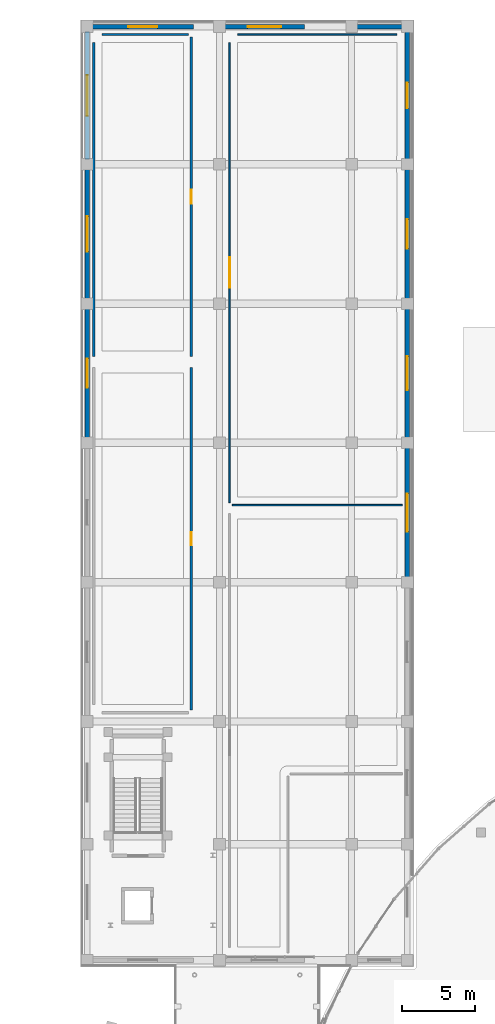
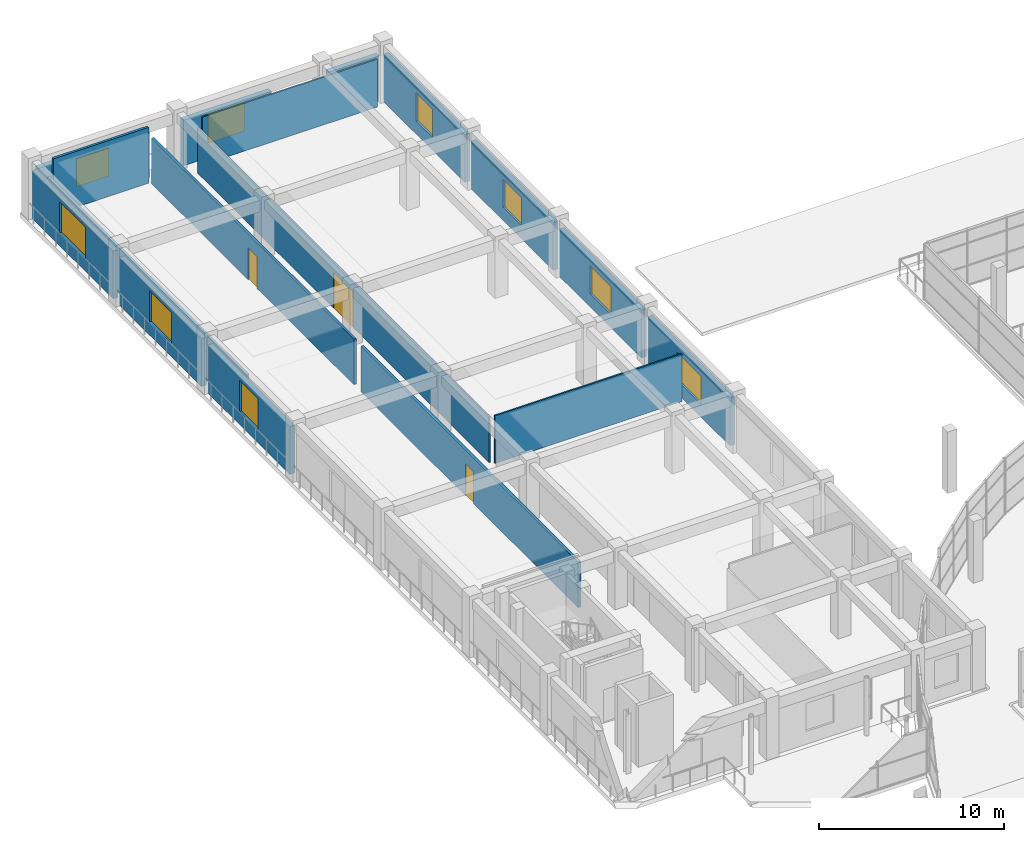
# One storey, part 65 of 87: 17 walls, 9 windows, 3 doors, 12 openings.
"""IFC4 building model written with IfcOpenShell, lengths in metres."""

from ifc_helpers import new_model, si_unit, direction, frame, frame_2d, origin, place, context, subcontext, project, spatial, rectangle, extrude, material, layer, layer_set, type_object, element, fill, save


model = new_model("IFC4")

# Units and contexts
model_context = context("Model", 3, precision=1e-05, world=origin(), true_north=direction((0.0, 1.0)))
body_context = subcontext(model_context, "Body", "Model", "MODEL_VIEW")
ifc_project = project(units=[si_unit("LENGTHUNIT", "METRE"), si_unit("AREAUNIT", "SQUARE_METRE"), si_unit("VOLUMEUNIT", "CUBIC_METRE"), si_unit("PLANEANGLEUNIT", "RADIAN"), si_unit("MASSUNIT", "GRAM", prefix="KILO")], contexts=[model_context])

# Site, building, storey
site_placement = place(None, origin())
site = spatial("IfcSite", under=ifc_project, at=site_placement, CompositionType="ELEMENT")
building_placement = place(site_placement, origin())
building = spatial("IfcBuilding", under=site, at=building_placement, Name="Saryqyr Civic Hall", CompositionType="ELEMENT")
storey_placement = place(building_placement, frame((0.0, 0.0, 5.10009765625)))
storey = spatial("IfcBuildingStorey", under=building, at=storey_placement, Name="L01", CompositionType="ELEMENT", Elevation=5.10009765625)

# Wall, opening, window
ifc_material_1 = material(Name="Precast concrete C40/50", Category="concrete")
ifc_layer_1 = layer(ifc_material_1, 0.31005859375, Name="Precast concrete C40/50")
ifc_layer_set_1 = layer_set([ifc_layer_1], Name="Precast concrete C40/50")
wall_type_1 = type_object("IfcWallType", Name="ENV-WAL-EXT-310", PredefinedType="STANDARD", material=ifc_layer_set_1)
wall_1_placement = place(storey_placement, frame((29.949951171875, 164.81494140625, 0.0), z_axis=(0.0, 0.0, 1.0), x_axis=(0.0, -1.0, 0.0)))
wall_1 = element("IfcWall", 1, at=wall_1_placement, inside=storey, type_object=wall_type_1, Name="Exterior wall V3-EW-L01-1-0", PredefinedType="STANDARD", context=body_context, shape_type="SweptSolid", body=[
    extrude(rectangle(XDim=8.760009765625, YDim=0.31005859375, at=frame_2d((4.3798828125, 0.0))), origin(), (0.0, 0.0, 1.0), 3.14501953125),
])
opening_1_placement = place(wall_1_placement, frame((3.5048828125, 0.0, 0.85009765625)))
opening_1 = element("IfcOpeningElement", 2, at=opening_1_placement, cuts=wall_1, Name="Opening W-27", PredefinedType="OPENING", context=body_context, shape_type="SweptSolid", body=[
    extrude(rectangle(XDim=1.75, YDim=1.85009765625, at=frame_2d((0.875, 0.925048828125))), frame((0.0, 0.1650390625, 0.0), z_axis=(0.0, -1.0, 0.0), x_axis=(1.0, 0.0, 0.0)), (0.0, 0.0, 1.0), 0.330078125),
])
ifc_material_2 = material(Name="Anodised aluminium and triple low-E glass", Category="aluminium")
window_type_1 = type_object("IfcWindowType", Name="ENV-WIN-W27", PartitioningType="SINGLE_PANEL", PredefinedType="WINDOW", material=ifc_material_2)
window_1_placement = place(opening_1_placement, origin())
window_1 = element("IfcWindow", 3, at=window_1_placement, inside=storey, type_object=window_type_1, Name="Library window L01-1-0", OverallHeight=1.85009765625, OverallWidth=1.75, PartitioningType="SINGLE_PANEL", PredefinedType="WINDOW", context=body_context, shape_type="SweptSolid", body=[
    extrude(rectangle(XDim=1.75, YDim=1.85009765625, at=frame_2d((0.875, 0.925048828125))), frame((0.0, 0.030029296875, 0.0), z_axis=(0.0, -1.0, 0.0), x_axis=(1.0, 0.0, 0.0)), (0.0, 0.0, 1.0), 0.06005859375),
])
fill(opening_1, window_1)

wall_2_placement = place(storey_placement, frame((29.949951171875, 155.385009765625, 0.0), z_axis=(0.0, 0.0, 1.0), x_axis=(0.0, -1.0, 0.0)))
wall_2 = element("IfcWall", 4, at=wall_2_placement, inside=storey, type_object=wall_type_1, Name="Exterior wall V3-EW-L01-1-1", PredefinedType="STANDARD", context=body_context, shape_type="SweptSolid", body=[
    extrude(rectangle(XDim=8.860107421875, YDim=0.31005859375, at=frame_2d((4.43017578125, 0.0))), origin(), (0.0, 0.0, 1.0), 3.14501953125),
])
opening_2_placement = place(wall_2_placement, frame((3.429931640625, 0.0, 0.85009765625)))
opening_2 = element("IfcOpeningElement", 5, at=opening_2_placement, cuts=wall_2, Name="Opening W-28", PredefinedType="OPENING", context=body_context, shape_type="SweptSolid", body=[
    extrude(rectangle(XDim=2.0, YDim=1.85009765625, at=frame_2d((1.0, 0.925048828125))), frame((0.0, 0.1650390625, 0.0), z_axis=(0.0, -1.0, 0.0), x_axis=(1.0, 0.0, 0.0)), (0.0, 0.0, 1.0), 0.330078125),
])
window_type_2 = type_object("IfcWindowType", Name="ENV-WIN-W28", PartitioningType="SINGLE_PANEL", PredefinedType="WINDOW", material=ifc_material_2)
window_2_placement = place(opening_2_placement, origin())
window_2 = element("IfcWindow", 6, at=window_2_placement, inside=storey, type_object=window_type_2, Name="Library window L01-1-1", OverallHeight=1.85009765625, OverallWidth=2.0, PartitioningType="SINGLE_PANEL", PredefinedType="WINDOW", context=body_context, shape_type="SweptSolid", body=[
    extrude(rectangle(XDim=2.0, YDim=1.85009765625, at=frame_2d((1.0, 0.925048828125))), frame((0.0, 0.030029296875, 0.0), z_axis=(0.0, -1.0, 0.0), x_axis=(1.0, 0.0, 0.0)), (0.0, 0.0, 1.0), 0.06005859375),
])
fill(opening_2, window_2)

wall_3_placement = place(storey_placement, frame((29.949951171875, 145.85498046875, 0.0), z_axis=(0.0, 0.0, 1.0), x_axis=(0.0, -1.0, 0.0)))
wall_3 = element("IfcWall", 7, at=wall_3_placement, inside=storey, type_object=wall_type_1, Name="Exterior wall V3-EW-L01-1-2", PredefinedType="STANDARD", context=body_context, shape_type="SweptSolid", body=[
    extrude(rectangle(XDim=8.85986328125, YDim=0.31005859375, at=frame_2d((4.429931640625, 0.0))), origin(), (0.0, 0.0, 1.0), 3.14501953125),
])
opening_3_placement = place(wall_3_placement, frame((3.280029296875, 0.0, 0.85009765625)))
opening_3 = element("IfcOpeningElement", 8, at=opening_3_placement, cuts=wall_3, Name="Opening W-29", PredefinedType="OPENING", context=body_context, shape_type="SweptSolid", body=[
    extrude(rectangle(XDim=2.300048828125, YDim=1.85009765625, at=frame_2d((1.14990234375, 0.925048828125))), frame((0.0, 0.1650390625, 0.0), z_axis=(0.0, -1.0, 0.0), x_axis=(1.0, 0.0, 0.0)), (0.0, 0.0, 1.0), 0.330078125),
])
window_type_3 = type_object("IfcWindowType", Name="ENV-WIN-W29", PartitioningType="SINGLE_PANEL", PredefinedType="WINDOW", material=ifc_material_2)
window_3_placement = place(opening_3_placement, origin())
window_3 = element("IfcWindow", 9, at=window_3_placement, inside=storey, type_object=window_type_3, Name="Library window L01-1-2", OverallHeight=1.85009765625, OverallWidth=2.300048828125, PartitioningType="SINGLE_PANEL", PredefinedType="WINDOW", context=body_context, shape_type="SweptSolid", body=[
    extrude(rectangle(XDim=2.300048828125, YDim=1.85009765625, at=frame_2d((1.14990234375, 0.925048828125))), frame((0.0, 0.030029296875, 0.0), z_axis=(0.0, -1.0, 0.0), x_axis=(1.0, 0.0, 0.0)), (0.0, 0.0, 1.0), 0.06005859375),
])
fill(opening_3, window_3)

wall_4_placement = place(storey_placement, frame((29.949951171875, 136.324951171875, 0.0), z_axis=(0.0, 0.0, 1.0), x_axis=(0.0, -1.0, 0.0)))
wall_4 = element("IfcWall", 10, at=wall_4_placement, inside=storey, type_object=wall_type_1, Name="Exterior wall V3-EW-L01-1-3", PredefinedType="STANDARD", context=body_context, shape_type="SweptSolid", body=[
    extrude(rectangle(XDim=8.85986328125, YDim=0.31005859375, at=frame_2d((4.429931640625, 0.0))), origin(), (0.0, 0.0, 1.0), 3.14501953125),
])
opening_4_placement = place(wall_4_placement, frame((3.1298828125, 0.0, 0.85009765625)))
opening_4 = element("IfcOpeningElement", 11, at=opening_4_placement, cuts=wall_4, Name="Opening W-30", PredefinedType="OPENING", context=body_context, shape_type="SweptSolid", body=[
    extrude(rectangle(XDim=2.60009765625, YDim=1.85009765625, at=frame_2d((1.300048828125, 0.925048828125))), frame((0.0, 0.1650390625, 0.0), z_axis=(0.0, -1.0, 0.0), x_axis=(1.0, 0.0, 0.0)), (0.0, 0.0, 1.0), 0.330078125),
])
window_type_4 = type_object("IfcWindowType", Name="ENV-WIN-W30", PartitioningType="SINGLE_PANEL", PredefinedType="WINDOW", material=ifc_material_2)
window_4_placement = place(opening_4_placement, origin())
window_4 = element("IfcWindow", 12, at=window_4_placement, inside=storey, type_object=window_type_4, Name="Library window L01-1-3", OverallHeight=1.85009765625, OverallWidth=2.60009765625, PartitioningType="SINGLE_PANEL", PredefinedType="WINDOW", context=body_context, shape_type="SweptSolid", body=[
    extrude(rectangle(XDim=2.60009765625, YDim=1.85009765625, at=frame_2d((1.300048828125, 0.925048828125))), frame((0.0, 0.030029296875, 0.0), z_axis=(0.0, -1.0, 0.0), x_axis=(1.0, 0.0, 0.0)), (0.0, 0.0, 1.0), 0.06005859375),
])
fill(opening_4, window_4)

wall_5_placement = place(storey_placement, frame((8.385009765625, 165.14990234375, 0.0), z_axis=(0.0, 0.0, 1.0), x_axis=(1.0, 0.0, 0.0)))
wall_5 = element("IfcWall", 13, at=wall_5_placement, inside=storey, type_object=wall_type_1, Name="Exterior wall V3-EW-L01-2-0", PredefinedType="STANDARD", context=body_context, shape_type="SweptSolid", body=[
    extrude(rectangle(XDim=6.93505859375, YDim=0.31005859375, at=frame_2d((3.467529296875, 0.0))), origin(), (0.0, 0.0, 1.0), 2.994873046875),
])
opening_5_placement = place(wall_5_placement, frame((2.468017578125, 0.0, 0.85009765625)))
opening_5 = element("IfcOpeningElement", 14, at=opening_5_placement, cuts=wall_5, Name="Opening W-28", PredefinedType="OPENING", context=body_context, shape_type="SweptSolid", body=[
    extrude(rectangle(XDim=2.0, YDim=1.85009765625, at=frame_2d((1.0, 0.925048828125))), frame((0.0, 0.1650390625, 0.0), z_axis=(0.0, -1.0, 0.0), x_axis=(1.0, 0.0, 0.0)), (0.0, 0.0, 1.0), 0.330078125),
])
window_5_placement = place(opening_5_placement, origin())
window_5 = element("IfcWindow", 15, at=window_5_placement, inside=storey, type_object=window_type_2, Name="Library window L01-2-0", OverallHeight=1.85009765625, OverallWidth=2.0, PartitioningType="SINGLE_PANEL", PredefinedType="WINDOW", context=body_context, shape_type="SweptSolid", body=[
    extrude(rectangle(XDim=2.0, YDim=1.85009765625, at=frame_2d((1.0, 0.925048828125))), frame((0.0, 0.030029296875, 0.0), z_axis=(0.0, -1.0, 0.0), x_axis=(1.0, 0.0, 0.0)), (0.0, 0.0, 1.0), 0.06005859375),
])
fill(opening_5, window_5)

wall_6_placement = place(storey_placement, frame((17.43505859375, 165.14990234375, 0.0), z_axis=(0.0, 0.0, 1.0), x_axis=(1.0, 0.0, 0.0)))
wall_6 = element("IfcWall", 16, at=wall_6_placement, inside=storey, type_object=wall_type_1, Name="Exterior wall V3-EW-L01-2-1", PredefinedType="STANDARD", context=body_context, shape_type="SweptSolid", body=[
    extrude(rectangle(XDim=5.48486328125, YDim=0.31005859375, at=frame_2d((2.742431640625, 0.0))), origin(), (0.0, 0.0, 1.0), 2.994873046875),
])
opening_6_placement = place(wall_6_placement, frame((1.593017578125, 0.0, 0.85009765625)))
opening_6 = element("IfcOpeningElement", 17, at=opening_6_placement, cuts=wall_6, Name="Opening W-29", PredefinedType="OPENING", context=body_context, shape_type="SweptSolid", body=[
    extrude(rectangle(XDim=2.300048828125, YDim=1.85009765625, at=frame_2d((1.14990234375, 0.925048828125))), frame((0.0, 0.1650390625, 0.0), z_axis=(0.0, -1.0, 0.0), x_axis=(1.0, 0.0, 0.0)), (0.0, 0.0, 1.0), 0.330078125),
])
window_6_placement = place(opening_6_placement, origin())
window_6 = element("IfcWindow", 18, at=window_6_placement, inside=storey, type_object=window_type_3, Name="Library window L01-2-1", OverallHeight=1.85009765625, OverallWidth=2.300048828125, PartitioningType="SINGLE_PANEL", PredefinedType="WINDOW", context=body_context, shape_type="SweptSolid", body=[
    extrude(rectangle(XDim=2.300048828125, YDim=1.85009765625, at=frame_2d((1.14990234375, 0.925048828125))), frame((0.0, 0.030029296875, 0.0), z_axis=(0.0, -1.0, 0.0), x_axis=(1.0, 0.0, 0.0)), (0.0, 0.0, 1.0), 0.06005859375),
])
fill(opening_6, window_6)

# Wall
wall_7_placement = place(storey_placement, frame((26.485107421875, 165.14990234375, 0.0), z_axis=(0.0, 0.0, 1.0), x_axis=(1.0, 0.0, 0.0)))
element("IfcWall", 19, at=wall_7_placement, inside=storey, type_object=wall_type_1, Name="Exterior wall V3-EW-L01-2-2", PredefinedType="STANDARD", context=body_context, shape_type="SweptSolid", body=[
    extrude(rectangle(XDim=3.1298828125, YDim=0.31005859375, at=frame_2d((1.56494140625, 0.0))), origin(), (0.0, 0.0, 1.0), 2.994873046875),
])

# Wall, opening, window
wall_8_placement = place(storey_placement, frame((8.050048828125, 136.9951171875, 0.0), z_axis=(0.0, 0.0, 1.0), x_axis=(0.0, 1.0, 0.0)))
wall_8 = element("IfcWall", 20, at=wall_8_placement, inside=storey, type_object=wall_type_1, Name="Exterior wall V3-EW-L01-3-4", PredefinedType="STANDARD", context=body_context, shape_type="SweptSolid", body=[
    extrude(rectangle(XDim=8.85986328125, YDim=0.31005859375, at=frame_2d((4.429931640625, 0.0))), origin(), (0.0, 0.0, 1.0), 3.14501953125),
])
opening_7_placement = place(wall_8_placement, frame((3.429931640625, 0.0, 0.85009765625)))
opening_7 = element("IfcOpeningElement", 21, at=opening_7_placement, cuts=wall_8, Name="Opening W-33", PredefinedType="OPENING", context=body_context, shape_type="SweptSolid", body=[
    extrude(rectangle(XDim=2.0, YDim=2.050048828125, at=frame_2d((1.0, 1.02490234375))), frame((0.0, 0.1650390625, 0.0), z_axis=(0.0, -1.0, 0.0), x_axis=(1.0, 0.0, 0.0)), (0.0, 0.0, 1.0), 0.330078125),
])
window_type_5 = type_object("IfcWindowType", Name="ENV-WIN-W33", PartitioningType="SINGLE_PANEL", PredefinedType="WINDOW", material=ifc_material_2)
window_7_placement = place(opening_7_placement, origin())
window_7 = element("IfcWindow", 22, at=window_7_placement, inside=storey, type_object=window_type_5, Name="Library window L01-3-4", OverallHeight=2.050048828125, OverallWidth=2.0, PartitioningType="SINGLE_PANEL", PredefinedType="WINDOW", context=body_context, shape_type="SweptSolid", body=[
    extrude(rectangle(XDim=2.0, YDim=2.050048828125, at=frame_2d((1.0, 1.02490234375))), frame((0.0, 0.030029296875, 0.0), z_axis=(0.0, -1.0, 0.0), x_axis=(1.0, 0.0, 0.0)), (0.0, 0.0, 1.0), 0.06005859375),
])
fill(opening_7, window_7)

wall_9_placement = place(storey_placement, frame((8.050048828125, 146.52490234375, 0.0), z_axis=(0.0, 0.0, 1.0), x_axis=(0.0, 1.0, 0.0)))
wall_9 = element("IfcWall", 23, at=wall_9_placement, inside=storey, type_object=wall_type_1, Name="Exterior wall V3-EW-L01-3-5", PredefinedType="STANDARD", context=body_context, shape_type="SweptSolid", body=[
    extrude(rectangle(XDim=8.860107421875, YDim=0.31005859375, at=frame_2d((4.43017578125, 0.0))), origin(), (0.0, 0.0, 1.0), 3.14501953125),
])
opening_8_placement = place(wall_9_placement, frame((3.22998046875, 0.0, 0.85009765625)))
opening_8 = element("IfcOpeningElement", 24, at=opening_8_placement, cuts=wall_9, Name="Opening W-34", PredefinedType="OPENING", context=body_context, shape_type="SweptSolid", body=[
    extrude(rectangle(XDim=2.39990234375, YDim=2.050048828125, at=frame_2d((1.199951171875, 1.02490234375))), frame((0.0, 0.1650390625, 0.0), z_axis=(0.0, -1.0, 0.0), x_axis=(1.0, 0.0, 0.0)), (0.0, 0.0, 1.0), 0.330078125),
])
window_type_6 = type_object("IfcWindowType", Name="ENV-WIN-W34", PartitioningType="SINGLE_PANEL", PredefinedType="WINDOW", material=ifc_material_2)
window_8_placement = place(opening_8_placement, origin())
window_8 = element("IfcWindow", 25, at=window_8_placement, inside=storey, type_object=window_type_6, Name="Library window L01-3-5", OverallHeight=2.050048828125, OverallWidth=2.39990234375, PartitioningType="SINGLE_PANEL", PredefinedType="WINDOW", context=body_context, shape_type="SweptSolid", body=[
    extrude(rectangle(XDim=2.39990234375, YDim=2.050048828125, at=frame_2d((1.199951171875, 1.02490234375))), frame((0.0, 0.030029296875, 0.0), z_axis=(0.0, -1.0, 0.0), x_axis=(1.0, 0.0, 0.0)), (0.0, 0.0, 1.0), 0.06005859375),
])
fill(opening_8, window_8)

wall_10_placement = place(storey_placement, frame((8.050048828125, 156.054931640625, 0.0), z_axis=(0.0, 0.0, 1.0), x_axis=(0.0, 1.0, 0.0)))
wall_10 = element("IfcWall", 26, at=wall_10_placement, inside=storey, type_object=wall_type_1, Name="Exterior wall V3-EW-L01-3-6", PredefinedType="STANDARD", context=body_context, shape_type="SweptSolid", body=[
    extrude(rectangle(XDim=8.760009765625, YDim=0.31005859375, at=frame_2d((4.3798828125, 0.0))), origin(), (0.0, 0.0, 1.0), 3.14501953125),
])
opening_9_placement = place(wall_10_placement, frame((2.97998046875, 0.0, 0.85009765625)))
opening_9 = element("IfcOpeningElement", 27, at=opening_9_placement, cuts=wall_10, Name="Opening W-35", PredefinedType="OPENING", context=body_context, shape_type="SweptSolid", body=[
    extrude(rectangle(XDim=2.800048828125, YDim=2.050048828125, at=frame_2d((1.39990234375, 1.02490234375))), frame((0.0, 0.1650390625, 0.0), z_axis=(0.0, -1.0, 0.0), x_axis=(1.0, 0.0, 0.0)), (0.0, 0.0, 1.0), 0.330078125),
])
window_type_7 = type_object("IfcWindowType", Name="ENV-WIN-W35", PartitioningType="SINGLE_PANEL", PredefinedType="WINDOW", material=ifc_material_2)
window_9_placement = place(opening_9_placement, origin())
window_9 = element("IfcWindow", 28, at=window_9_placement, inside=storey, type_object=window_type_7, Name="Library window L01-3-6", OverallHeight=2.050048828125, OverallWidth=2.800048828125, PartitioningType="SINGLE_PANEL", PredefinedType="WINDOW", context=body_context, shape_type="SweptSolid", body=[
    extrude(rectangle(XDim=2.800048828125, YDim=2.050048828125, at=frame_2d((1.39990234375, 1.02490234375))), frame((0.0, 0.030029296875, 0.0), z_axis=(0.0, -1.0, 0.0), x_axis=(1.0, 0.0, 0.0)), (0.0, 0.0, 1.0), 0.06005859375),
])
fill(opening_9, window_9)

# Wall, opening, door
ifc_material_3 = material(Name="Lightweight demountable partition", Category="gypsum")
ifc_layer_2 = layer(ifc_material_3, 0.094970703125, Name="Lightweight demountable partition")
ifc_layer_set_2 = layer_set([ifc_layer_2], Name="Lightweight demountable partition")
wall_type_2 = type_object("IfcWallType", Name="INT-WAL-PRT-095", PredefinedType="PARTITIONING", material=ifc_layer_set_2)
wall_11_placement = place(storey_placement, frame((17.800048828125, 132.580078125, 0.0), z_axis=(0.0, 0.0, 1.0), x_axis=(0.0, 1.0, 0.0)))
wall_11 = element("IfcWall", 29, at=wall_11_placement, inside=storey, type_object=wall_type_2, Name="Interior partition PRT-SP-V3-L01-R02-W1", PredefinedType="PARTITIONING", context=body_context, shape_type="SweptSolid", body=[
    extrude(rectangle(XDim=31.469970703125, YDim=0.094970703125, at=frame_2d((15.73486328125, 0.0))), origin(), (0.0, 0.0, 1.0), 2.994873046875),
])
opening_10_placement = place(wall_11_placement, frame((14.68505859375, 0.0, 0.0)))
opening_10 = element("IfcOpeningElement", 30, at=opening_10_placement, cuts=wall_11, Name="Opening D-20", PredefinedType="OPENING", context=body_context, shape_type="SweptSolid", body=[
    extrude(rectangle(XDim=2.10009765625, YDim=2.35009765625, at=frame_2d((1.050048828125, 1.175048828125))), frame((0.0, 0.057373046875, 0.0), z_axis=(0.0, -1.0, 0.0), x_axis=(1.0, 0.0, 0.0)), (0.0, 0.0, 1.0), 0.114990234375),
])
ifc_material_4 = material(Name="Acoustic solid-core oak veneer", Category="wood")
door_type_1 = type_object("IfcDoorType", Name="INT-DR-D-20", OperationType="NOTDEFINED", PredefinedType="DOOR", material=ifc_material_4)
door_1_placement = place(opening_10_placement, origin())
door_1 = element("IfcDoor", 31, at=door_1_placement, inside=storey, type_object=door_type_1, Name="Interior door Periodicals & Statutory Gazette Room", OperationType="DOUBLE_DOOR_SINGLE_SWING", OverallHeight=2.35009765625, OverallWidth=2.10009765625, PredefinedType="DOOR", context=body_context, shape_type="SweptSolid", body=[
    extrude(rectangle(XDim=2.10009765625, YDim=2.35009765625, at=frame_2d((1.050048828125, 1.175048828125))), frame((0.0, 0.02490234375, 0.0), z_axis=(0.0, -1.0, 0.0), x_axis=(1.0, 0.0, 0.0)), (0.0, 0.0, 1.0), 0.050048828125),
])
fill(opening_10, door_1)

# Walls
wall_12_placement = place(storey_placement, frame((29.6201171875, 132.39990234375, 0.0), z_axis=(0.0, 0.0, 1.0), x_axis=(-1.0, 0.0, 0.0)))
element("IfcWall", 32, at=wall_12_placement, inside=storey, type_object=wall_type_2, Name="Interior partition PRT-SP-V3-L01-R02-W2", PredefinedType="PARTITIONING", context=body_context, shape_type="SweptSolid", body=[
    extrude(rectangle(XDim=11.64013671875, YDim=0.094970703125, at=frame_2d((5.820068359375, 0.0))), origin(), (0.0, 0.0, 1.0), 3.14501953125),
])
wall_13_placement = place(storey_placement, frame((18.35009765625, 164.60009765625, 0.0), z_axis=(0.0, 0.0, 1.0), x_axis=(1.0, 0.0, 0.0)))
element("IfcWall", 33, at=wall_13_placement, inside=storey, type_object=wall_type_2, Name="Interior partition PRT-SP-V3-L01-R02-W3", PredefinedType="PARTITIONING", context=body_context, shape_type="SweptSolid", body=[
    extrude(rectangle(XDim=10.89990234375, YDim=0.094970703125, at=frame_2d((5.449951171875, 0.0))), origin(), (0.0, 0.0, 1.0), 3.14501953125),
])

# Wall, opening, door
ifc_material_5 = material(Name="Acoustic double-stud gypsum board", Category="gypsum")
ifc_layer_3 = layer(ifc_material_5, 0.155029296875, Name="Acoustic double-stud gypsum board")
ifc_layer_set_3 = layer_set([ifc_layer_3], Name="Acoustic double-stud gypsum board")
wall_type_3 = type_object("IfcWallType", Name="INT-WAL-PRT-155", PredefinedType="PARTITIONING", material=ifc_layer_set_3)
wall_14_placement = place(storey_placement, frame((15.179931640625, 164.419921875, 0.0), z_axis=(0.0, 0.0, 1.0), x_axis=(0.0, -1.0, 0.0)))
wall_14 = element("IfcWall", 34, at=wall_14_placement, inside=storey, type_object=wall_type_3, Name="Interior partition PRT-SP-V3-L01-R04-W1", PredefinedType="PARTITIONING", context=body_context, shape_type="SweptSolid", body=[
    extrude(rectangle(XDim=21.83984375, YDim=0.155029296875, at=frame_2d((10.919921875, 0.0))), origin(), (0.0, 0.0, 1.0), 2.994873046875),
])
opening_11_placement = place(wall_14_placement, frame((10.445068359375, 0.0, 0.0)))
opening_11 = element("IfcOpeningElement", 35, at=opening_11_placement, cuts=wall_14, Name="Opening D-02", PredefinedType="OPENING", context=body_context, shape_type="SweptSolid", body=[
    extrude(rectangle(XDim=0.949951171875, YDim=2.10009765625, at=frame_2d((0.47509765625, 1.050048828125))), frame((0.0, 0.08740234375, 0.0), z_axis=(0.0, -1.0, 0.0), x_axis=(1.0, 0.0, 0.0)), (0.0, 0.0, 1.0), 0.175048828125),
])
door_type_2 = type_object("IfcDoorType", Name="INT-DR-D-02", OperationType="NOTDEFINED", PredefinedType="DOOR", material=ifc_material_4)
door_2_placement = place(opening_11_placement, origin())
door_2 = element("IfcDoor", 36, at=door_2_placement, inside=storey, type_object=door_type_2, Name="Interior door Researchers' Carrels & Accessible MGN WC L01", OperationType="SINGLE_SWING_LEFT", OverallHeight=2.10009765625, OverallWidth=0.949951171875, PredefinedType="DOOR", context=body_context, shape_type="SweptSolid", body=[
    extrude(rectangle(XDim=0.949951171875, YDim=2.10009765625, at=frame_2d((0.47509765625, 1.050048828125))), frame((0.0, 0.02490234375, 0.0), z_axis=(0.0, -1.0, 0.0), x_axis=(1.0, 0.0, 0.0)), (0.0, 0.0, 1.0), 0.050048828125),
])
fill(opening_11, door_2)

# Walls
wall_15_placement = place(storey_placement, frame((8.5, 142.580078125, 0.0), z_axis=(0.0, 0.0, 1.0), x_axis=(0.0, 1.0, 0.0)))
element("IfcWall", 37, at=wall_15_placement, inside=storey, type_object=wall_type_3, Name="Interior partition PRT-SP-V3-L01-R04-W2", PredefinedType="PARTITIONING", context=body_context, shape_type="SweptSolid", body=[
    extrude(rectangle(XDim=21.469970703125, YDim=0.155029296875, at=frame_2d((10.73486328125, 0.0))), origin(), (0.0, 0.0, 1.0), 2.994873046875),
])
wall_16_placement = place(storey_placement, frame((9.050048828125, 164.60009765625, 0.0), z_axis=(0.0, 0.0, 1.0), x_axis=(1.0, 0.0, 0.0)))
element("IfcWall", 38, at=wall_16_placement, inside=storey, type_object=wall_type_3, Name="Interior partition PRT-SP-V3-L01-R04-W3", PredefinedType="PARTITIONING", context=body_context, shape_type="SweptSolid", body=[
    extrude(rectangle(XDim=5.949951171875, YDim=0.155029296875, at=frame_2d((2.97509765625, 0.0))), origin(), (0.0, 0.0, 1.0), 3.679931640625),
])

# Wall, opening, door
ifc_layer_4 = layer(ifc_material_5, 0.169921875, Name="Acoustic double-stud gypsum board")
ifc_layer_set_4 = layer_set([ifc_layer_4], Name="Acoustic double-stud gypsum board")
wall_type_4 = type_object("IfcWallType", Name="INT-WAL-PRT-170", PredefinedType="PARTITIONING", material=ifc_layer_set_4)
wall_17_placement = place(storey_placement, frame((15.179931640625, 141.820068359375, 0.0), z_axis=(0.0, 0.0, 1.0), x_axis=(0.0, -1.0, 0.0)))
wall_17 = element("IfcWall", 39, at=wall_17_placement, inside=storey, type_object=wall_type_4, Name="Interior partition PRT-SP-V3-L01-R03-W1", PredefinedType="PARTITIONING", context=body_context, shape_type="SweptSolid", body=[
    extrude(rectangle(XDim=23.440185546875, YDim=0.169921875, at=frame_2d((11.72021484375, 0.0))), origin(), (0.0, 0.0, 1.0), 2.994873046875),
])
opening_12_placement = place(wall_17_placement, frame((11.27001953125, 0.0, 0.0)))
opening_12 = element("IfcOpeningElement", 40, at=opening_12_placement, cuts=wall_17, Name="Opening D-01", PredefinedType="OPENING", context=body_context, shape_type="SweptSolid", body=[
    extrude(rectangle(XDim=0.89990234375, YDim=2.10009765625, at=frame_2d((0.449951171875, 1.050048828125))), frame((0.0, 0.094970703125, 0.0), z_axis=(0.0, -1.0, 0.0), x_axis=(1.0, 0.0, 0.0)), (0.0, 0.0, 1.0), 0.18994140625),
])
door_type_3 = type_object("IfcDoorType", Name="INT-DR-D-01", OperationType="NOTDEFINED", PredefinedType="DOOR", material=ifc_material_4)
door_3_placement = place(opening_12_placement, origin())
door_3 = element("IfcDoor", 41, at=door_3_placement, inside=storey, type_object=door_type_3, Name="Interior door Cataloguing & Archival Intake Office", OperationType="SINGLE_SWING_RIGHT", OverallHeight=2.10009765625, OverallWidth=0.89990234375, PredefinedType="DOOR", context=body_context, shape_type="SweptSolid", body=[
    extrude(rectangle(XDim=0.89990234375, YDim=2.10009765625, at=frame_2d((0.449951171875, 1.050048828125))), frame((0.0, 0.02490234375, 0.0), z_axis=(0.0, -1.0, 0.0), x_axis=(1.0, 0.0, 0.0)), (0.0, 0.0, 1.0), 0.050048828125),
])
fill(opening_12, door_3)

save(model, "model.ifc")
